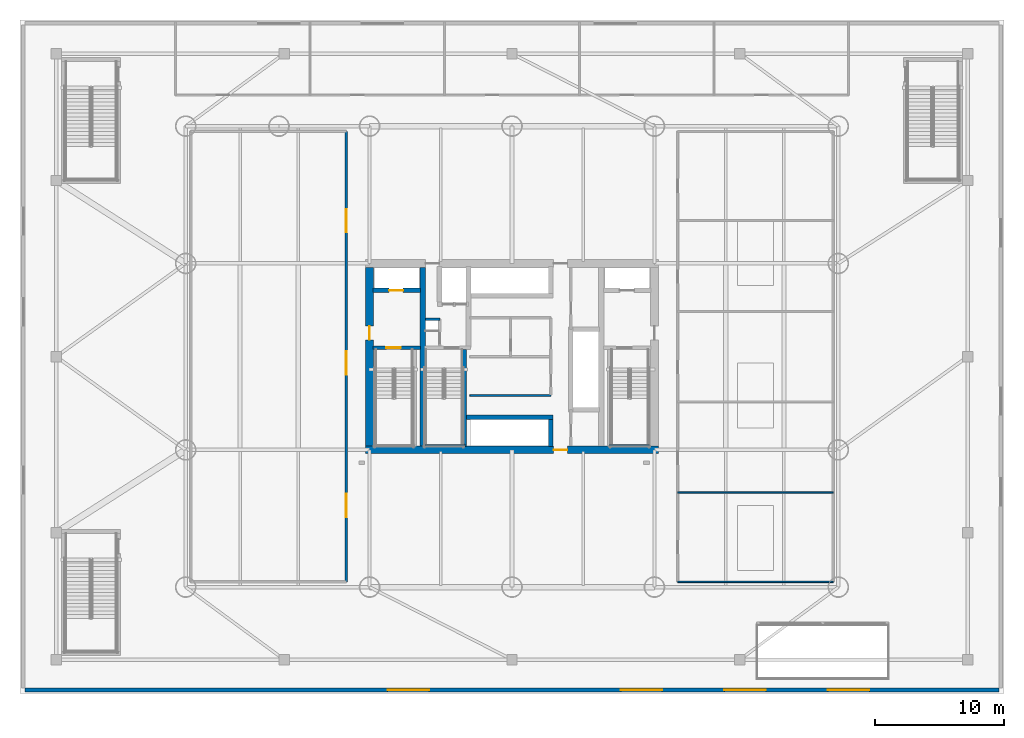
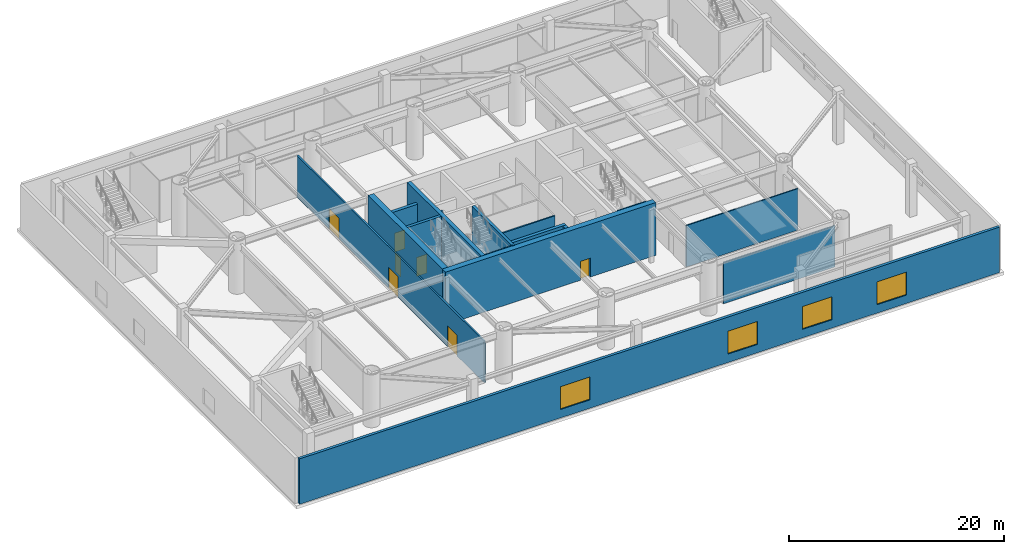
# One storey, part 6 of 17: 16 walls, 7 doors, 4 windows, 11 openings.
"""IFC4 building model written with IfcOpenShell, lengths in metres."""

import ifcopenshell
import ifcopenshell.guid

model = None  # the IFC model being written
_history = None  # IfcOwnerHistory: only IFC2X3 demands one
_inside = {}  # id of a spatial element -> (the spatial element, [elements in it])
_under = {}  # id of a project, library or spatial element -> (it, [spatial elements below it])
_declared = {}  # id of a project -> (the project, [libraries it declares])
_typed = {}  # id of a type object -> (the type object, [elements of that type])
_made_of = {}  # id of a material, layer set ... -> (it, [elements and type objects made of it])


def new_model(schema):
    """Start an empty IFC model of exactly this schema.

    Asked for "IFC4X3", IfcOpenShell would pick the latest addendum, in which some entities
    have other attributes; the version numbers below select the first issue.
    IFC2X3 requires an IfcOwnerHistory on every rooted entity: one is made here for all.
    """
    global model, _history
    if schema == "IFC4X3":
        model = ifcopenshell.file(schema_version=(4, 3, 0, 0))
    else:
        model = ifcopenshell.file(schema=schema)
    _inside.clear()
    _under.clear()
    _declared.clear()
    _typed.clear()
    _made_of.clear()
    _history = None
    if model.schema == "IFC2X3":
        org = make("IfcOrganization", Name="unknown")
        user = make(
            "IfcPersonAndOrganization",
            ThePerson=make("IfcPerson", FamilyName="unknown"),
            TheOrganization=org,
        )
        app = make(
            "IfcApplication",
            ApplicationDeveloper=org,
            Version="unknown",
            ApplicationFullName="unknown",
            ApplicationIdentifier="unknown",
        )
        _history = make(
            "IfcOwnerHistory",
            OwningUser=user,
            OwningApplication=app,
            ChangeAction="ADDED",
            CreationDate=0,
        )
    return model


def make(cls, **values):
    """One entity of the class cls with the attributes given. An attribute that is None is left unset."""
    return model.create_entity(
        cls, **{name: value for name, value in values.items() if value is not None}
    )


def rooted(cls, **values):
    """An entity with a GlobalId (a new one), such as an element, a storey or a relation."""
    return make(cls, GlobalId=ifcopenshell.guid.new(), OwnerHistory=_history, **values)


def si_unit(unit_type, name, prefix=None):
    """IfcSIUnit, for example si_unit("LENGTHUNIT", "METRE", prefix="MILLI")."""
    return make("IfcSIUnit", UnitType=unit_type, Prefix=prefix, Name=name)


def assignment(units):
    """IfcUnitAssignment: the units of a project."""
    return None if units is None else make("IfcUnitAssignment", Units=units)


def point(xyz):
    """IfcCartesianPoint."""
    return None if xyz is None else make("IfcCartesianPoint", Coordinates=xyz)


def direction(xyz):
    """IfcDirection."""
    return None if xyz is None else make("IfcDirection", DirectionRatios=xyz)


def frame(location, z_axis=None, x_axis=None):
    """IfcAxis2Placement3D, a coordinate frame: its origin and axes. An axis left out is left unset."""
    return make(
        "IfcAxis2Placement3D",
        Location=point(location),
        Axis=direction(z_axis),
        RefDirection=direction(x_axis),
    )


def frame_2d(location, x_axis=None):
    """IfcAxis2Placement2D, a coordinate frame in the plane: its origin and x axis."""
    return make(
        "IfcAxis2Placement2D", Location=point(location), RefDirection=direction(x_axis)
    )


def origin():
    """The frame at (0, 0, 0) with its axes left unset."""
    return frame((0.0, 0.0, 0.0))


def place(relative_to, where):
    """IfcLocalPlacement: puts the frame where relative to a parent placement (None: the world)."""
    return make(
        "IfcLocalPlacement", PlacementRelTo=relative_to, RelativePlacement=where
    )


def context(
    kind, dimensions, precision=None, world=None, true_north=None, identifier=None
):
    """IfcGeometricRepresentationContext, for example the 3D "Model" context."""
    return make(
        "IfcGeometricRepresentationContext",
        ContextIdentifier=identifier,
        ContextType=kind,
        CoordinateSpaceDimension=dimensions,
        Precision=precision,
        WorldCoordinateSystem=world,
        TrueNorth=true_north,
    )


def subcontext(parent, identifier, kind, view, scale=None):
    """IfcGeometricRepresentationSubContext, for example "Body" below "Model"."""
    return make(
        "IfcGeometricRepresentationSubContext",
        ContextIdentifier=identifier,
        ContextType=kind,
        ParentContext=parent,
        TargetScale=scale,
        TargetView=view,
    )


def project(units=None, contexts=None):
    """IfcProject with its units and contexts."""
    return rooted(
        "IfcProject",
        Name="project",
        RepresentationContexts=contexts,
        UnitsInContext=assignment(units),
    )


def spatial(cls, under=None, at=None, **own):
    """A site, building, storey or space (cls), placed at a placement, below another one or the project."""
    s = rooted(cls, ObjectPlacement=at, **own)
    if under is not None:
        _under.setdefault(under.id(), (under, []))[1].append(s)
    return s


def profile(cls, at=None, kind="AREA", **sizes):
    """A parametric profile (cls). Its sizes go by their IFC names, for example OverallWidth=200.0."""
    return make(cls, ProfileType=kind, Position=at, **sizes)


def rectangle(**sizes):
    """IfcRectangleProfileDef."""
    return profile("IfcRectangleProfileDef", **sizes)


def extrude(swept, where, along, depth):
    """IfcExtrudedAreaSolid: the profile swept, set in the frame where, extruded along a direction by depth."""
    return make(
        "IfcExtrudedAreaSolid",
        SweptArea=swept,
        Position=where,
        ExtrudedDirection=direction(along),
        Depth=depth,
    )


def shape(context_of_items, identifier, shape_type, items):
    """IfcShapeRepresentation: the items that make up one representation, for example the "Body"."""
    return make(
        "IfcShapeRepresentation",
        ContextOfItems=context_of_items,
        RepresentationIdentifier=identifier,
        RepresentationType=shape_type,
        Items=items,
    )


def material(Name=None, Category=None):
    """IfcMaterial."""
    return make("IfcMaterial", Name=Name, Category=Category)


def layer(
    of_material, thickness, ventilated=None, Name=None, Category=None, Priority=None
):
    """IfcMaterialLayer: one layer of a wall or slab, of a material (None: an air gap)."""
    return make(
        "IfcMaterialLayer",
        Material=of_material,
        LayerThickness=thickness,
        IsVentilated=ventilated,
        Name=Name,
        Category=Category,
        Priority=Priority,
    )


def layer_set(layers, Name=None):
    """IfcMaterialLayerSet."""
    return make("IfcMaterialLayerSet", MaterialLayers=layers, LayerSetName=Name)


def made_of(thing, what):
    """Note that an element or type object is made of a material, layer set ...; save() writes the relation."""
    if what is not None:
        _made_of.setdefault(what.id(), (what, []))[1].append(thing)
    return thing


def type_object(cls, material=None, **own):
    """A type object (cls), such as IfcWallType, which elements share."""
    return made_of(rooted(cls, **own), material)


def element(
    cls,
    number,
    at=None,
    inside=None,
    cuts=None,
    type_object=None,
    material=None,
    context=None,
    identifier="Body",
    shape_type=None,
    held_by="IfcProductDefinitionShape",
    body=None,
    shapes=None,
    **own,
):
    """One element of the class cls, such as IfcWall. Its Tag is "e" and its number.

    at: its placement. inside: the storey or other place that contains it. cuts: it is an
    opening in that element (IfcRelVoidsElement). A single representation is given by context,
    identifier, shape_type and body (its items); several are given by shapes. held_by: the class
    of the entity that holds the representations. save() writes the other relations.
    """
    e = rooted(cls, Tag="e%d" % number, ObjectPlacement=at, **own)
    if body is not None:
        shapes = [shape(context, identifier, shape_type, body)]
    if shapes is not None:
        e.Representation = make(held_by, Representations=shapes)
    if inside is not None:
        _inside.setdefault(inside.id(), (inside, []))[1].append(e)
    if cuts is not None:
        rooted(
            "IfcRelVoidsElement", RelatingBuildingElement=cuts, RelatedOpeningElement=e
        )
    if type_object is not None:
        _typed.setdefault(type_object.id(), (type_object, []))[1].append(e)
    return made_of(e, material)


def fill(opening, filler):
    """IfcRelFillsElement: the door or window that sits in an opening."""
    return rooted(
        "IfcRelFillsElement",
        RelatingOpeningElement=opening,
        RelatedBuildingElement=filler,
    )


def aggregate(whole, parts):
    """IfcRelAggregates: a whole, such as a stair, and the parts it consists of."""
    return rooted("IfcRelAggregates", RelatingObject=whole, RelatedObjects=parts)


def save(model, path):
    """Write the relations noted so far, then the file.

    IfcRelAggregates (storeys below a building ...), IfcRelContainedInSpatialStructure (elements
    in a storey), IfcRelDefinesByType, IfcRelAssociatesMaterial and IfcRelDeclares: one each for
    every whole, place, type object, material and project.
    """
    for whole, parts in _under.values():
        aggregate(whole, parts)
    for where, things in _inside.values():
        rooted(
            "IfcRelContainedInSpatialStructure",
            RelatedElements=things,
            RelatingStructure=where,
        )
    for kind, things in _typed.values():
        rooted("IfcRelDefinesByType", RelatedObjects=things, RelatingType=kind)
    for what, things in _made_of.values():
        rooted("IfcRelAssociatesMaterial", RelatedObjects=things, RelatingMaterial=what)
    for by, libraries in _declared.values():
        rooted("IfcRelDeclares", RelatingContext=by, RelatedDefinitions=libraries)
    model.write(path)


model = new_model("IFC4")

# Units and contexts
model_context = context("Model", 3, precision=1e-05, world=origin(), true_north=direction((0.0, 1.0)))
body_context = subcontext(model_context, "Body", "Model", "MODEL_VIEW")
ifc_project = project(units=[si_unit("LENGTHUNIT", "METRE"), si_unit("AREAUNIT", "SQUARE_METRE"), si_unit("VOLUMEUNIT", "CUBIC_METRE"), si_unit("PLANEANGLEUNIT", "RADIAN"), si_unit("MASSUNIT", "GRAM", prefix="KILO")], contexts=[model_context])

# Site, building, storey
site_placement = place(None, origin())
site = spatial("IfcSite", under=ifc_project, at=site_placement, CompositionType="ELEMENT")
building_placement = place(site_placement, origin())
building = spatial("IfcBuilding", under=site, at=building_placement, Name="Bramvorn Convention Spire", CompositionType="ELEMENT")
storey_placement = place(building_placement, frame((0.0, 0.0, 24.0)))
storey = spatial("IfcBuildingStorey", under=building, at=storey_placement, Name="L04", CompositionType="ELEMENT", Elevation=24.0)

# Wall, opening, door
ifc_material_1 = material(Name="Concrete C60/70", Category="concrete")
ifc_layer_1 = layer(ifc_material_1, 0.60009765625)
ifc_layer_set_1 = layer_set([ifc_layer_1], Name="Concrete C60/70 - WL-CORE-600")
wall_type_1 = type_object("IfcWallType", Name="WL-CORE-600", PredefinedType="SHEAR", material=ifc_layer_set_1)
wall_1_placement = place(storey_placement, frame((26.699951171875, 18.800048828125, 0.0), z_axis=(0.0, 0.0, 1.0), x_axis=(1.0, 0.0, 0.0)))
wall_1 = element("IfcWall", 1, at=wall_1_placement, inside=storey, type_object=wall_type_1, Name="L04 South RC core shear wall", PredefinedType="SHEAR", context=body_context, shape_type="SweptSolid", body=[
    extrude(rectangle(XDim=22.60009765625, YDim=0.60009765625, at=frame_2d((11.300048828125, 0.0))), origin(), (0.0, 0.0, 1.0), 6.0),
])
opening_1_placement = place(wall_1_placement, frame((14.52001953125, 0.0, 0.0)))
opening_1 = element("IfcOpeningElement", 2, at=opening_1_placement, cuts=wall_1, Name="Opening DL-105", PredefinedType="OPENING", context=body_context, shape_type="SweptSolid", body=[
    extrude(rectangle(XDim=1.050048828125, YDim=2.14990234375, at=frame_2d((0.52490234375, 1.074951171875))), frame((0.0, 0.31005859375, 0.0), z_axis=(0.0, -1.0, 0.0), x_axis=(1.0, 0.0, 0.0)), (0.0, 0.0, 1.0), 0.6201171875),
])
ifc_material_2 = material(Name="Smoke-Sealed Fire Lobby Timber-Core Door", Category="wood")
door_type_1 = type_object("IfcDoorType", Name="DR-LOBBY-1050", OperationType="NOTDEFINED", PredefinedType="DOOR", material=ifc_material_2)
door_1_placement = place(opening_1_placement, origin())
door_1 = element("IfcDoor", 3, at=door_1_placement, inside=storey, type_object=door_type_1, Name="L04 South Lift Lobby fire door", OperationType="SINGLE_SWING_RIGHT", OverallHeight=2.14990234375, OverallWidth=1.050048828125, PredefinedType="DOOR", context=body_context, shape_type="SweptSolid", body=[
    extrude(rectangle(XDim=1.050048828125, YDim=2.14990234375, at=frame_2d((0.52490234375, 1.074951171875))), frame((0.0, 0.02490234375, 0.0), z_axis=(0.0, -1.0, 0.0), x_axis=(1.0, 0.0, 0.0)), (0.0, 0.0, 1.0), 0.050048828125),
])
fill(opening_1, door_1)

wall_2_placement = place(storey_placement, frame((27.0, 19.10009765625, 0.0), z_axis=(0.0, 0.0, 1.0), x_axis=(0.0, 1.0, 0.0)))
wall_2 = element("IfcWall", 4, at=wall_2_placement, inside=storey, type_object=wall_type_1, Name="L04 West RC core shear wall", PredefinedType="SHEAR", context=body_context, shape_type="SweptSolid", body=[
    extrude(rectangle(XDim=13.7998046875, YDim=0.60009765625, at=frame_2d((6.89990234375, 0.0))), origin(), (0.0, 0.0, 1.0), 6.0),
])
opening_2_placement = place(wall_2_placement, frame((8.199951171875, 0.0, 0.0)))
opening_2 = element("IfcOpeningElement", 5, at=opening_2_placement, cuts=wall_2, Name="Opening DL-105", PredefinedType="OPENING", context=body_context, shape_type="SweptSolid", body=[
    extrude(rectangle(XDim=1.050048828125, YDim=2.14990234375, at=frame_2d((0.52490234375, 1.074951171875))), frame((0.0, 0.31005859375, 0.0), z_axis=(0.0, -1.0, 0.0), x_axis=(1.0, 0.0, 0.0)), (0.0, 0.0, 1.0), 0.6201171875),
])
door_2_placement = place(opening_2_placement, origin())
door_2 = element("IfcDoor", 6, at=door_2_placement, inside=storey, type_object=door_type_1, Name="L04 West Firefighting Lobby corridor door", OperationType="SINGLE_SWING_RIGHT", OverallHeight=2.14990234375, OverallWidth=1.050048828125, PredefinedType="DOOR", context=body_context, shape_type="SweptSolid", body=[
    extrude(rectangle(XDim=1.050048828125, YDim=2.14990234375, at=frame_2d((0.52490234375, 1.074951171875))), frame((0.0, 0.02490234375, 0.0), z_axis=(0.0, -1.0, 0.0), x_axis=(1.0, 0.0, 0.0)), (0.0, 0.0, 1.0), 0.050048828125),
])
fill(opening_2, door_2)

ifc_material_3 = material(Name="Concrete C50/60", Category="concrete")
ifc_layer_2 = layer(ifc_material_3, 0.35009765625)
ifc_layer_set_2 = layer_set([ifc_layer_2], Name="Concrete C50/60 - WL-CORE-INT-350")
wall_type_2 = type_object("IfcWallType", Name="WL-CORE-INT-350", PredefinedType="SHEAR", material=ifc_layer_set_2)
wall_3_placement = place(storey_placement, frame((27.25, 31.1201171875, 0.0), z_axis=(0.0, 0.0, 1.0), x_axis=(1.0, 0.0, 0.0)))
wall_3 = element("IfcWall", 7, at=wall_3_placement, inside=storey, type_object=wall_type_2, Name="L04 FE1 shaft front wall", PredefinedType="SHEAR", context=body_context, shape_type="SweptSolid", body=[
    extrude(rectangle(XDim=3.669921875, YDim=0.35009765625, at=frame_2d((1.8349609375, 0.0))), origin(), (0.0, 0.0, 1.0), 4.7099609375),
])
opening_3_placement = place(wall_3_placement, frame((1.25, 0.0, 0.0)))
opening_3 = element("IfcOpeningElement", 8, at=opening_3_placement, cuts=wall_3, Name="Opening LD-110", PredefinedType="OPENING", context=body_context, shape_type="SweptSolid", body=[
    extrude(rectangle(XDim=1.10009765625, YDim=2.14990234375, at=frame_2d((0.550048828125, 1.074951171875))), frame((0.0, 0.18505859375, 0.0), z_axis=(0.0, -1.0, 0.0), x_axis=(1.0, 0.0, 0.0)), (0.0, 0.0, 1.0), 0.3701171875),
])
ifc_material_4 = material(Name="Firefighting & Service Lift Sliding Landing Door", Category="steel")
door_type_2 = type_object("IfcDoorType", Name="DR-LIFT-LD-1100", OperationType="NOTDEFINED", PredefinedType="DOOR", material=ifc_material_4)
door_3_placement = place(opening_3_placement, origin())
door_3 = element("IfcDoor", 9, at=door_3_placement, inside=storey, type_object=door_type_2, Name="L04 Lift FE1 Sliding Landing Door", OperationType="SLIDING_TO_LEFT", OverallHeight=2.14990234375, OverallWidth=1.10009765625, PredefinedType="DOOR", context=body_context, shape_type="SweptSolid", body=[
    extrude(rectangle(XDim=1.10009765625, YDim=2.14990234375, at=frame_2d((0.550048828125, 1.074951171875))), frame((0.0, 0.02490234375, 0.0), z_axis=(0.0, -1.0, 0.0), x_axis=(1.0, 0.0, 0.0)), (0.0, 0.0, 1.0), 0.050048828125),
])
fill(opening_3, door_3)

# Walls
wall_4_placement = place(storey_placement, frame((34.489990234375, 21.300048828125, 0.0), z_axis=(0.0, 0.0, 1.0), x_axis=(1.0, 0.0, 0.0)))
element("IfcWall", 10, at=wall_4_placement, inside=storey, type_object=wall_type_2, Name="L04 Mid-rise bank north landing wall", PredefinedType="SHEAR", context=body_context, shape_type="SweptSolid", body=[
    extrude(rectangle(XDim=6.679931640625, YDim=0.35009765625, at=frame_2d((3.33984375, 0.0))), origin(), (0.0, 0.0, 1.0), 4.7099609375),
])
wall_5_placement = place(storey_placement, frame((41.0, 19.050048828125, 0.0), z_axis=(0.0, 0.0, 1.0), x_axis=(0.0, 1.0, 0.0)))
element("IfcWall", 11, at=wall_5_placement, inside=storey, type_object=wall_type_2, Name="L04 Mid-rise bank east cheek wall", PredefinedType="SHEAR", context=body_context, shape_type="SweptSolid", body=[
    extrude(rectangle(XDim=2.079833984375, YDim=0.35009765625, at=frame_2d((1.0400390625, 0.0))), origin(), (0.0, 0.0, 1.0), 4.7099609375),
])
ifc_layer_3 = layer(ifc_material_1, 0.39990234375)
ifc_layer_set_3 = layer_set([ifc_layer_3], Name="Concrete C60/70 - WL-CORE-INT-400")
wall_type_3 = type_object("IfcWallType", Name="WL-CORE-INT-400", PredefinedType="SHEAR", material=ifc_layer_set_3)
wall_6_placement = place(storey_placement, frame((31.10009765625, 19.10009765625, 0.0), z_axis=(0.0, 0.0, 1.0), x_axis=(0.0, 1.0, 0.0)))
element("IfcWall", 12, at=wall_6_placement, inside=storey, type_object=wall_type_3, Name="L04 West internal core shear web", PredefinedType="SHEAR", context=body_context, shape_type="SweptSolid", body=[
    extrude(rectangle(XDim=13.7998046875, YDim=0.39990234375, at=frame_2d((6.89990234375, 0.0))), origin(), (0.0, 0.0, 1.0), 6.0),
])

# Wall, openings, windows
ifc_material_5 = material(Name="Precast Concrete C40/50 with Bronze Terracotta Rainscreen", Category="masonry")
ifc_layer_4 = layer(ifc_material_5, 0.300048828125)
ifc_layer_set_4 = layer_set([ifc_layer_4], Name="Precast Concrete C40/50 with Bronze Terracotta Rainscreen - WL-EXT-BRONZE-300")
wall_type_4 = type_object("IfcWallType", Name="WL-EXT-BRONZE-300", PredefinedType="SOLIDWALL", material=ifc_layer_set_4)
wall_7_placement = place(storey_placement, frame((75.60009765625, 0.25, 0.0), z_axis=(0.0, 0.0, 1.0), x_axis=(-1.0, 0.0, 0.0)))
wall_7 = element("IfcWall", 13, at=wall_7_placement, inside=storey, type_object=wall_type_4, Name="L04 South podium bronze facade wall", PredefinedType="SOLIDWALL", context=body_context, shape_type="SweptSolid", body=[
    extrude(rectangle(XDim=75.2001953125, YDim=0.300048828125, at=frame_2d((37.60009765625, 0.0))), origin(), (0.0, 0.0, 1.0), 5.159912109375),
])
opening_4_placement = place(wall_7_placement, frame((10.0, 0.0, 0.949951171875)))
opening_4 = element("IfcOpeningElement", 14, at=opening_4_placement, cuts=wall_7, Name="Opening WN10", PredefinedType="OPENING", context=body_context, shape_type="SweptSolid", body=[
    extrude(rectangle(XDim=3.199951171875, YDim=2.60009765625, at=frame_2d((1.60009765625, 1.300048828125))), frame((0.0, 0.159912109375, 0.0), z_axis=(0.0, -1.0, 0.0), x_axis=(1.0, 0.0, 0.0)), (0.0, 0.0, 1.0), 0.320068359375),
])
opening_5_placement = place(wall_7_placement, frame((18.0, 0.0, 0.949951171875)))
opening_5 = element("IfcOpeningElement", 15, at=opening_5_placement, cuts=wall_7, Name="Opening WN10", PredefinedType="OPENING", context=body_context, shape_type="SweptSolid", body=[
    extrude(rectangle(XDim=3.199951171875, YDim=2.60009765625, at=frame_2d((1.60009765625, 1.300048828125))), frame((0.0, 0.159912109375, 0.0), z_axis=(0.0, -1.0, 0.0), x_axis=(1.0, 0.0, 0.0)), (0.0, 0.0, 1.0), 0.320068359375),
])
opening_6_placement = place(wall_7_placement, frame((26.0, 0.0, 0.949951171875)))
opening_6 = element("IfcOpeningElement", 16, at=opening_6_placement, cuts=wall_7, Name="Opening WN10", PredefinedType="OPENING", context=body_context, shape_type="SweptSolid", body=[
    extrude(rectangle(XDim=3.199951171875, YDim=2.60009765625, at=frame_2d((1.60009765625, 1.300048828125))), frame((0.0, 0.159912109375, 0.0), z_axis=(0.0, -1.0, 0.0), x_axis=(1.0, 0.0, 0.0)), (0.0, 0.0, 1.0), 0.320068359375),
])
opening_7_placement = place(wall_7_placement, frame((44.0, 0.0, 0.949951171875)))
opening_7 = element("IfcOpeningElement", 17, at=opening_7_placement, cuts=wall_7, Name="Opening WN10", PredefinedType="OPENING", context=body_context, shape_type="SweptSolid", body=[
    extrude(rectangle(XDim=3.199951171875, YDim=2.60009765625, at=frame_2d((1.60009765625, 1.300048828125))), frame((0.0, 0.159912109375, 0.0), z_axis=(0.0, -1.0, 0.0), x_axis=(1.0, 0.0, 0.0)), (0.0, 0.0, 1.0), 0.320068359375),
])
ifc_material_6 = material(Name="Thermally Broken Bronze Aluminium & Triple Low-E Glass", Category="aluminium")
window_type = type_object("IfcWindowType", Name="WN-POD-3200X2600", PartitioningType="SINGLE_PANEL", PredefinedType="WINDOW", material=ifc_material_6)
window_1_placement = place(opening_4_placement, origin())
window_1 = element("IfcWindow", 18, at=window_1_placement, inside=storey, type_object=window_type, Name="L04 South operable convention window 1", OverallHeight=2.60009765625, OverallWidth=3.199951171875, PartitioningType="SINGLE_PANEL", PredefinedType="WINDOW", context=body_context, shape_type="SweptSolid", body=[
    extrude(rectangle(XDim=3.199951171875, YDim=2.60009765625, at=frame_2d((1.60009765625, 1.300048828125))), frame((0.0, 0.030029296875, 0.0), z_axis=(0.0, -1.0, 0.0), x_axis=(1.0, 0.0, 0.0)), (0.0, 0.0, 1.0), 0.06005859375),
])
fill(opening_4, window_1)
window_2_placement = place(opening_5_placement, origin())
window_2 = element("IfcWindow", 19, at=window_2_placement, inside=storey, type_object=window_type, Name="L04 South operable convention window 2", OverallHeight=2.60009765625, OverallWidth=3.199951171875, PartitioningType="SINGLE_PANEL", PredefinedType="WINDOW", context=body_context, shape_type="SweptSolid", body=[
    extrude(rectangle(XDim=3.199951171875, YDim=2.60009765625, at=frame_2d((1.60009765625, 1.300048828125))), frame((0.0, 0.030029296875, 0.0), z_axis=(0.0, -1.0, 0.0), x_axis=(1.0, 0.0, 0.0)), (0.0, 0.0, 1.0), 0.06005859375),
])
fill(opening_5, window_2)
window_3_placement = place(opening_6_placement, origin())
window_3 = element("IfcWindow", 20, at=window_3_placement, inside=storey, type_object=window_type, Name="L04 South operable convention window 3", OverallHeight=2.60009765625, OverallWidth=3.199951171875, PartitioningType="SINGLE_PANEL", PredefinedType="WINDOW", context=body_context, shape_type="SweptSolid", body=[
    extrude(rectangle(XDim=3.199951171875, YDim=2.60009765625, at=frame_2d((1.60009765625, 1.300048828125))), frame((0.0, 0.030029296875, 0.0), z_axis=(0.0, -1.0, 0.0), x_axis=(1.0, 0.0, 0.0)), (0.0, 0.0, 1.0), 0.06005859375),
])
fill(opening_6, window_3)
window_4_placement = place(opening_7_placement, origin())
window_4 = element("IfcWindow", 21, at=window_4_placement, inside=storey, type_object=window_type, Name="L04 South operable convention window 4", OverallHeight=2.60009765625, OverallWidth=3.199951171875, PartitioningType="SINGLE_PANEL", PredefinedType="WINDOW", context=body_context, shape_type="SweptSolid", body=[
    extrude(rectangle(XDim=3.199951171875, YDim=2.60009765625, at=frame_2d((1.60009765625, 1.300048828125))), frame((0.0, 0.030029296875, 0.0), z_axis=(0.0, -1.0, 0.0), x_axis=(1.0, 0.0, 0.0)), (0.0, 0.0, 1.0), 0.06005859375),
])
fill(opening_7, window_4)

# Walls
ifc_material_7 = material(Name="Lightweight En-Suite & Wet-Wall Partition", Category="gypsum")
ifc_layer_5 = layer(ifc_material_7, 0.110107421875)
ifc_layer_set_5 = layer_set([ifc_layer_5], Name="Lightweight En-Suite & Wet-Wall Partition - WL-PART-110")
wall_type_5 = type_object("IfcWallType", Name="WL-PART-110", PredefinedType="PARTITIONING", material=ifc_layer_set_5)
for number, where, z_axis, x_axis, name in (
    (22, (50.800048828125, 8.60009765625, 0.0), (0.0, 0.0, 1.0), (1.0, 0.0, 0.0), "L04 Seminar divider 0"),
    (23, (50.800048828125, 15.5, 0.0), (0.0, 0.0, 1.0), (1.0, 0.0, 0.0), "L04 Seminar divider 1"),
):
    element("IfcWall", number, at=place(storey_placement, frame(where, z_axis=z_axis, x_axis=x_axis)), inside=storey, type_object=wall_type_5, Name=name, PredefinedType="PARTITIONING", context=body_context, shape_type="SweptSolid", body=[
        extrude(rectangle(XDim=12.0, YDim=0.110107421875, at=frame_2d((6.0, 0.0))), origin(), (0.0, 0.0, 1.0), 4.7099609375),
    ])
ifc_material_8 = material(Name="Acoustic Metal-Stud Tenant/Corridor Partition", Category="gypsum")
ifc_layer_6 = layer(ifc_material_8, 0.14990234375)
ifc_layer_set_6 = layer_set([ifc_layer_6], Name="Acoustic Metal-Stud Tenant/Corridor Partition - WL-PART-150")
wall_type_6 = type_object("IfcWallType", Name="WL-PART-150", PredefinedType="PARTITIONING", material=ifc_layer_set_6)
wall_8_placement = place(storey_placement, frame((34.75, 23.0, 0.0), z_axis=(0.0, 0.0, 1.0), x_axis=(1.0, 0.0, 0.0)))
element("IfcWall", 24, at=wall_8_placement, inside=storey, type_object=wall_type_6, Name="L04 Mid-rise lift vestibule north wall", PredefinedType="PARTITIONING", context=body_context, shape_type="SweptSolid", body=[
    extrude(rectangle(XDim=6.25, YDim=0.14990234375, at=frame_2d((3.125, 0.0))), origin(), (0.0, 0.0, 1.0), 4.7099609375),
])

# Wall, openings, doors
ifc_material_9 = material(Name="Double-Stud Acoustic Hotel/Suite Partition", Category="gypsum")
ifc_layer_7 = layer(ifc_material_9, 0.175048828125)
ifc_layer_set_7 = layer_set([ifc_layer_7], Name="Double-Stud Acoustic Hotel/Suite Partition - WL-PART-175")
wall_type_7 = type_object("IfcWallType", Name="WL-PART-175", PredefinedType="PARTITIONING", material=ifc_layer_set_7)
wall_9_placement = place(storey_placement, frame((25.199951171875, 8.60009765625, 0.0), z_axis=(0.0, 0.0, 1.0), x_axis=(0.0, 1.0, 0.0)))
wall_9 = element("IfcWall", 25, at=wall_9_placement, inside=storey, type_object=wall_type_7, Name="L04 Grand Ballroom foyer wall", PredefinedType="PARTITIONING", context=body_context, shape_type="SweptSolid", body=[
    extrude(rectangle(XDim=34.7998046875, YDim=0.175048828125, at=frame_2d((17.39990234375, 0.0))), origin(), (0.0, 0.0, 1.0), 4.7099609375),
])
opening_8_placement = place(wall_9_placement, frame((5.0, 0.0, 0.0)))
opening_8 = element("IfcOpeningElement", 26, at=opening_8_placement, cuts=wall_9, Name="Opening DH-180", PredefinedType="OPENING", context=body_context, shape_type="SweptSolid", body=[
    extrude(rectangle(XDim=1.800048828125, YDim=2.35009765625, at=frame_2d((0.89990234375, 1.175048828125))), frame((0.0, 0.097412109375, 0.0), z_axis=(0.0, -1.0, 0.0), x_axis=(1.0, 0.0, 0.0)), (0.0, 0.0, 1.0), 0.195068359375),
])
opening_9_placement = place(wall_9_placement, frame((16.0, 0.0, 0.0)))
opening_9 = element("IfcOpeningElement", 27, at=opening_9_placement, cuts=wall_9, Name="Opening DH-180", PredefinedType="OPENING", context=body_context, shape_type="SweptSolid", body=[
    extrude(rectangle(XDim=1.800048828125, YDim=2.35009765625, at=frame_2d((0.89990234375, 1.175048828125))), frame((0.0, 0.097412109375, 0.0), z_axis=(0.0, -1.0, 0.0), x_axis=(1.0, 0.0, 0.0)), (0.0, 0.0, 1.0), 0.195068359375),
])
opening_10_placement = place(wall_9_placement, frame((27.0, 0.0, 0.0)))
opening_10 = element("IfcOpeningElement", 28, at=opening_10_placement, cuts=wall_9, Name="Opening DH-180", PredefinedType="OPENING", context=body_context, shape_type="SweptSolid", body=[
    extrude(rectangle(XDim=1.800048828125, YDim=2.35009765625, at=frame_2d((0.89990234375, 1.175048828125))), frame((0.0, 0.097412109375, 0.0), z_axis=(0.0, -1.0, 0.0), x_axis=(1.0, 0.0, 0.0)), (0.0, 0.0, 1.0), 0.195068359375),
])
ifc_material_10 = material(Name="Double-Leaf Acoustic Assembly Hall Door", Category="wood")
door_type_3 = type_object("IfcDoorType", Name="DR-HALL-1800", OperationType="NOTDEFINED", PredefinedType="DOOR", material=ifc_material_10)
door_4_placement = place(opening_8_placement, origin())
door_4 = element("IfcDoor", 29, at=door_4_placement, inside=storey, type_object=door_type_3, Name="L04 Grand Ballroom portal 1", OperationType="DOUBLE_DOOR_SINGLE_SWING", OverallHeight=2.35009765625, OverallWidth=1.800048828125, PredefinedType="DOOR", context=body_context, shape_type="SweptSolid", body=[
    extrude(rectangle(XDim=1.800048828125, YDim=2.35009765625, at=frame_2d((0.89990234375, 1.175048828125))), frame((0.0, 0.02490234375, 0.0), z_axis=(0.0, -1.0, 0.0), x_axis=(1.0, 0.0, 0.0)), (0.0, 0.0, 1.0), 0.050048828125),
])
fill(opening_8, door_4)
door_5_placement = place(opening_9_placement, origin())
door_5 = element("IfcDoor", 30, at=door_5_placement, inside=storey, type_object=door_type_3, Name="L04 Grand Ballroom portal 2", OperationType="DOUBLE_DOOR_SINGLE_SWING", OverallHeight=2.35009765625, OverallWidth=1.800048828125, PredefinedType="DOOR", context=body_context, shape_type="SweptSolid", body=[
    extrude(rectangle(XDim=1.800048828125, YDim=2.35009765625, at=frame_2d((0.89990234375, 1.175048828125))), frame((0.0, 0.02490234375, 0.0), z_axis=(0.0, -1.0, 0.0), x_axis=(1.0, 0.0, 0.0)), (0.0, 0.0, 1.0), 0.050048828125),
])
fill(opening_9, door_5)
door_6_placement = place(opening_10_placement, origin())
door_6 = element("IfcDoor", 31, at=door_6_placement, inside=storey, type_object=door_type_3, Name="L04 Grand Ballroom portal 3", OperationType="DOUBLE_DOOR_SINGLE_SWING", OverallHeight=2.35009765625, OverallWidth=1.800048828125, PredefinedType="DOOR", context=body_context, shape_type="SweptSolid", body=[
    extrude(rectangle(XDim=1.800048828125, YDim=2.35009765625, at=frame_2d((0.89990234375, 1.175048828125))), frame((0.0, 0.02490234375, 0.0), z_axis=(0.0, -1.0, 0.0), x_axis=(1.0, 0.0, 0.0)), (0.0, 0.0, 1.0), 0.050048828125),
])
fill(opening_10, door_6)

# Wall
ifc_material_11 = material(Name="Gypsum Shaftwall & Rockwool Core Partition", Category="gypsum")
ifc_layer_8 = layer(ifc_material_11, 0.199951171875)
ifc_layer_set_8 = layer_set([ifc_layer_8], Name="Gypsum Shaftwall & Rockwool Core Partition - WL-PART-200-FR")
wall_type_8 = type_object("IfcWallType", Name="WL-PART-200-FR", PredefinedType="PARTITIONING", material=ifc_layer_set_8)
wall_10_placement = place(storey_placement, frame((31.300048828125, 28.89990234375, 0.0), z_axis=(0.0, 0.0, 1.0), x_axis=(1.0, 0.0, 0.0)))
element("IfcWall", 32, at=wall_10_placement, inside=storey, type_object=wall_type_8, Name="L04 Telecom riser north wall", PredefinedType="PARTITIONING", context=body_context, shape_type="SweptSolid", body=[
    extrude(rectangle(XDim=1.119873046875, YDim=0.199951171875, at=frame_2d((0.56005859375, 0.0))), origin(), (0.0, 0.0, 1.0), 4.7099609375),
])

# Wall, opening, door
ifc_layer_9 = layer(ifc_material_3, 0.300048828125)
ifc_layer_set_9 = layer_set([ifc_layer_9], Name="Concrete C50/60 - WL-POD-STAIR-300")
wall_type_9 = type_object("IfcWallType", Name="WL-POD-STAIR-300", PredefinedType="SHEAR", material=ifc_layer_set_9)
wall_11_placement = place(storey_placement, frame((27.25, 26.68994140625, 0.0), z_axis=(0.0, 0.0, 1.0), x_axis=(1.0, 0.0, 0.0)))
wall_11 = element("IfcWall", 33, at=wall_11_placement, inside=storey, type_object=wall_type_9, Name="L04 ST1 north fire wall", PredefinedType="SHEAR", context=body_context, shape_type="SweptSolid", body=[
    extrude(rectangle(XDim=3.669921875, YDim=0.300048828125, at=frame_2d((1.8349609375, 0.0))), origin(), (0.0, 0.0, 1.0), 6.0),
])
opening_11_placement = place(wall_11_placement, frame((1.050048828125, 0.0, 0.0)))
opening_11 = element("IfcOpeningElement", 34, at=opening_11_placement, cuts=wall_11, Name="Opening DS-110", PredefinedType="OPENING", context=body_context, shape_type="SweptSolid", body=[
    extrude(rectangle(XDim=1.10009765625, YDim=2.14990234375, at=frame_2d((0.550048828125, 1.074951171875))), frame((0.0, 0.159912109375, 0.0), z_axis=(0.0, -1.0, 0.0), x_axis=(1.0, 0.0, 0.0)), (0.0, 0.0, 1.0), 0.320068359375),
])
ifc_material_12 = material(Name="Fire-Rated Hollow Steel Stairwell Door", Category="steel")
door_type_4 = type_object("IfcDoorType", Name="DR-STAIR-1100", OperationType="NOTDEFINED", PredefinedType="DOOR", material=ifc_material_12)
door_7_placement = place(opening_11_placement, origin())
door_7 = element("IfcDoor", 35, at=door_7_placement, inside=storey, type_object=door_type_4, Name="L04 Stair ST1 fire door", OperationType="SINGLE_SWING_LEFT", OverallHeight=2.14990234375, OverallWidth=1.10009765625, PredefinedType="DOOR", context=body_context, shape_type="SweptSolid", body=[
    extrude(rectangle(XDim=1.10009765625, YDim=2.14990234375, at=frame_2d((0.550048828125, 1.074951171875))), frame((0.0, 0.02490234375, 0.0), z_axis=(0.0, -1.0, 0.0), x_axis=(1.0, 0.0, 0.0)), (0.0, 0.0, 1.0), 0.050048828125),
])
fill(opening_11, door_7)

# Walls
wall_12_placement = place(storey_placement, frame((34.340087890625, 19.050048828125, 0.0), z_axis=(0.0, 0.0, 1.0), x_axis=(0.0, 1.0, 0.0)))
element("IfcWall", 36, at=wall_12_placement, inside=storey, type_object=wall_type_9, Name="L04 ST3 east bearing wall", PredefinedType="SHEAR", context=body_context, shape_type="SweptSolid", body=[
    extrude(rectangle(XDim=7.5, YDim=0.300048828125, at=frame_2d((3.75, 0.0))), origin(), (0.0, 0.0, 1.0), 6.0),
])
ifc_layer_10 = layer(ifc_material_3, 0.1201171875)
ifc_layer_set_10 = layer_set([ifc_layer_10], Name="Concrete C50/60 - WL-STAIR-RC-120")
wall_type_10 = type_object("IfcWallType", Name="WL-STAIR-RC-120", PredefinedType="SHEAR", material=ifc_layer_set_10)
wall_13_placement = place(storey_placement, frame((45.510009765625, 19.159912109375, 0.0), z_axis=(0.0, 0.0, 1.0), x_axis=(1.0, 0.0, 0.0)))
element("IfcWall", 37, at=wall_13_placement, inside=storey, type_object=wall_type_10, Name="L04 ST2 south bearing shear wall", PredefinedType="SHEAR", context=body_context, shape_type="SweptSolid", body=[
    extrude(rectangle(XDim=3.094970703125, YDim=0.1201171875, at=frame_2d((1.54736328125, 0.0))), origin(), (0.0, 0.0, 1.0), 6.0),
])
wall_14_placement = place(storey_placement, frame((31.300048828125, 19.159912109375, 0.0), z_axis=(0.0, 0.0, 1.0), x_axis=(1.0, 0.0, 0.0)))
element("IfcWall", 38, at=wall_14_placement, inside=storey, type_object=wall_type_10, Name="L04 ST3 south bearing shear wall", PredefinedType="SHEAR", context=body_context, shape_type="SweptSolid", body=[
    extrude(rectangle(XDim=3.0400390625, YDim=0.1201171875, at=frame_2d((1.52001953125, 0.0))), origin(), (0.0, 0.0, 1.0), 6.0),
])

save(model, "model.ifc")
